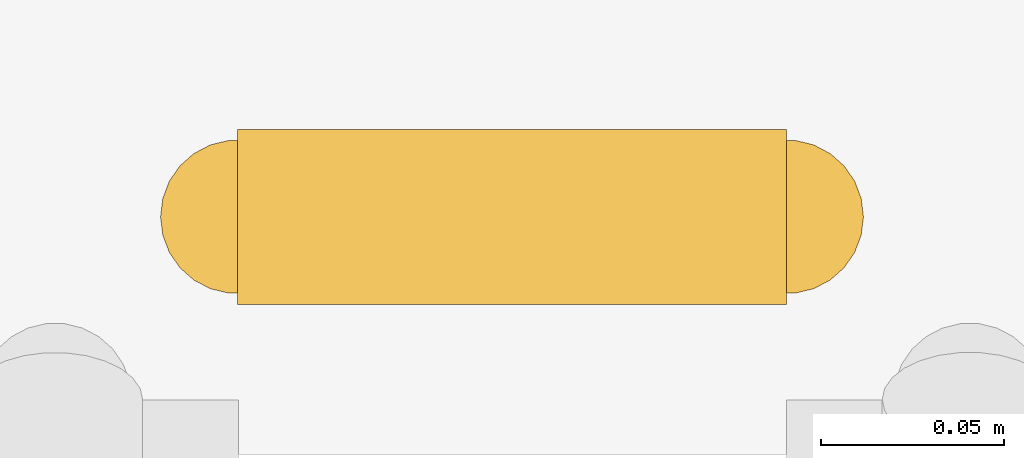
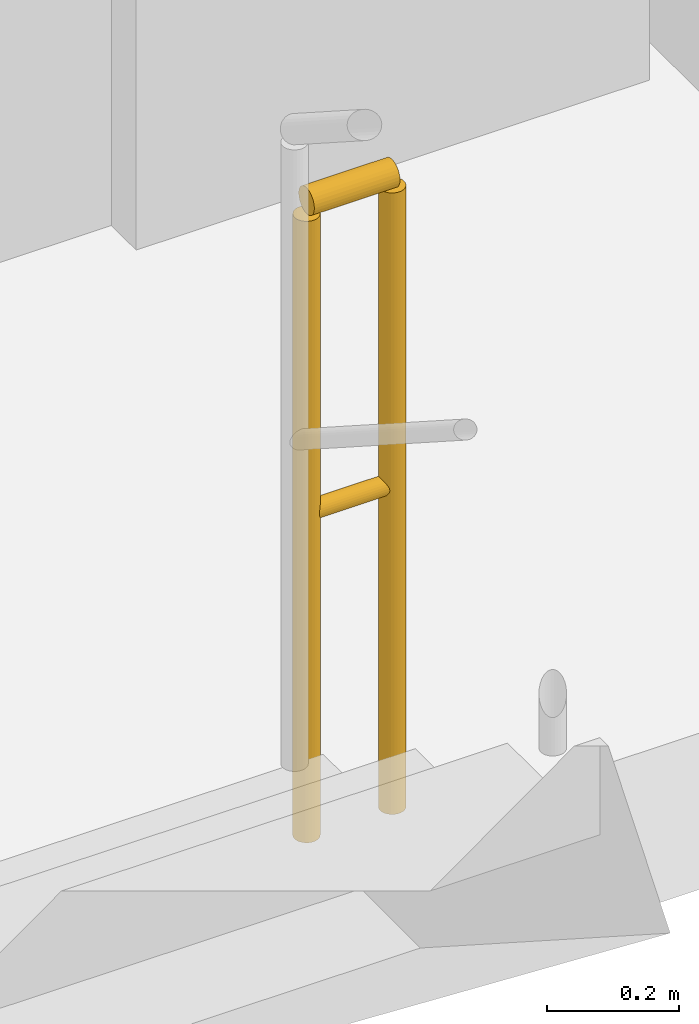
# One storey, part 10 of 11: 1 railing.
"""IFC4 building model written with IfcOpenShell, lengths in metres."""

from ifc_helpers import new_model, si_unit, direction, frame, origin, origin_2d, place, context, subcontext, project, spatial, circle, extrude, material, type_object, element, save


model = new_model("IFC4")

# Units and contexts
model_context = context("Model", 3, precision=1e-05, world=origin(), true_north=direction((0.0, 1.0)))
body_context = subcontext(model_context, "Body", "Model", "MODEL_VIEW")
ifc_project = project(units=[si_unit("LENGTHUNIT", "METRE"), si_unit("AREAUNIT", "SQUARE_METRE"), si_unit("VOLUMEUNIT", "CUBIC_METRE"), si_unit("PLANEANGLEUNIT", "RADIAN"), si_unit("MASSUNIT", "GRAM", prefix="KILO")], contexts=[model_context])

# Site, building, storey
site_placement = place(None, origin())
site = spatial("IfcSite", under=ifc_project, at=site_placement, CompositionType="ELEMENT")
building_placement = place(site_placement, origin())
building = spatial("IfcBuilding", under=site, at=building_placement, Name="Miruveldt Soraemaru", CompositionType="ELEMENT")
storey_placement = place(building_placement, frame((0.0, 0.0, 295.39990234375)))
storey = spatial("IfcBuildingStorey", under=building, at=storey_placement, Name="L79", CompositionType="ELEMENT", Elevation=295.39990234375)

# Railing
ifc_material = material(Name="Steel S355 (355 MPa)", Category="steel")
railing_type = type_object("IfcRailingType", Name="RAIL-STGUARD-1200", PredefinedType="GUARDRAIL", material=ifc_material)
railing_placement = place(storey_placement, frame((50.89990234375, 42.75, 0.0)))
element("IfcRailing", 1, at=railing_placement, inside=storey, type_object=railing_type, Name="L79 ST-2 stair guard 4", PredefinedType="GUARDRAIL", context=body_context, shape_type="SweptSolid", body=[
    extrude(circle(Radius=0.02392578125, at=origin_2d()), frame((0.0, 0.0, 1.17578125), z_axis=(1.0, 0.0, 0.0), x_axis=(0.0, 1.0, 0.0)), (0.0, 0.0, 1.0), 0.150146484375),
    extrude(circle(Radius=0.01611328125, at=origin_2d()), frame((0.0, 0.0, 0.60009765625), z_axis=(1.0, 0.0, 0.0), x_axis=(0.0, 1.0, 0.0)), (0.0, 0.0, 1.0), 0.150146484375),
    extrude(circle(Radius=0.02099609375, at=origin_2d()), origin(), (0.0, 0.0, 1.0), 1.15185546875),
    extrude(circle(Radius=0.02099609375, at=origin_2d()), frame((0.150146484375, 0.0, 0.0)), (0.0, 0.0, 1.0), 1.15185546875),
])

save(model, "model.ifc")
